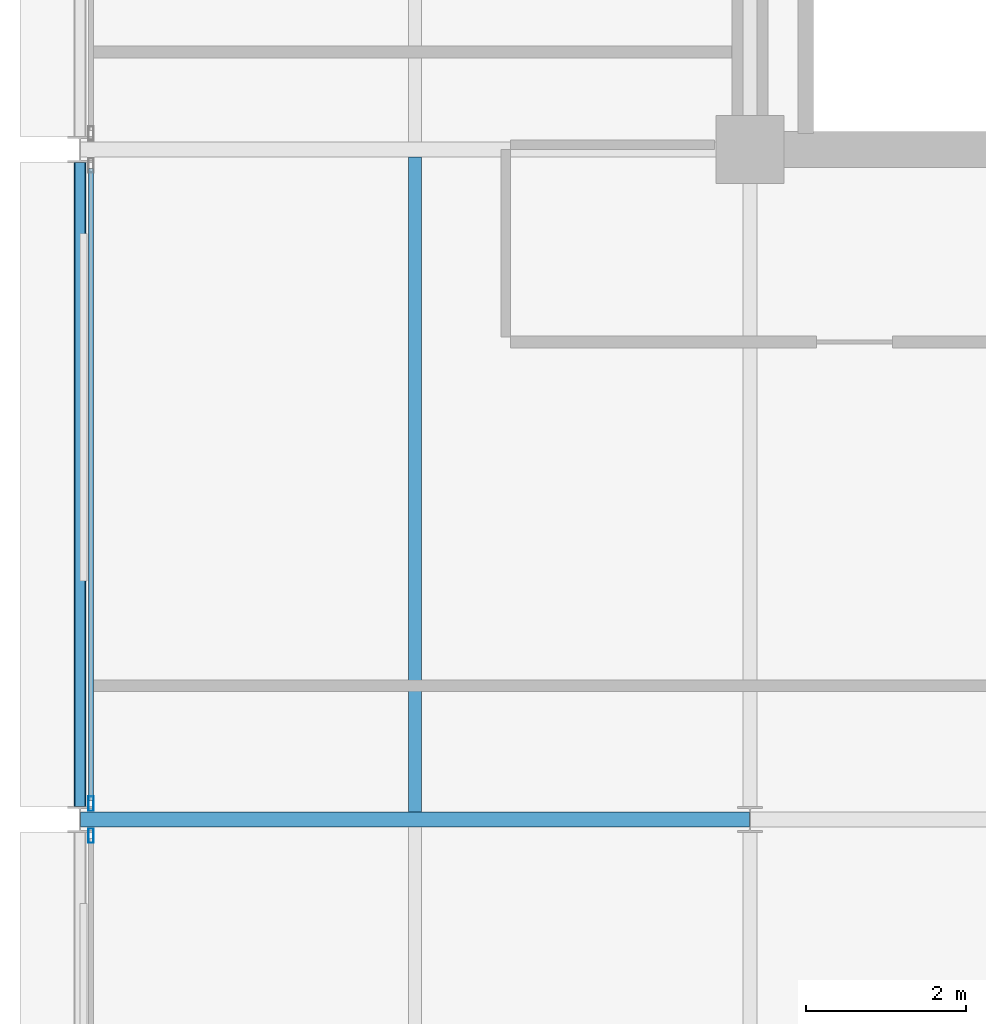
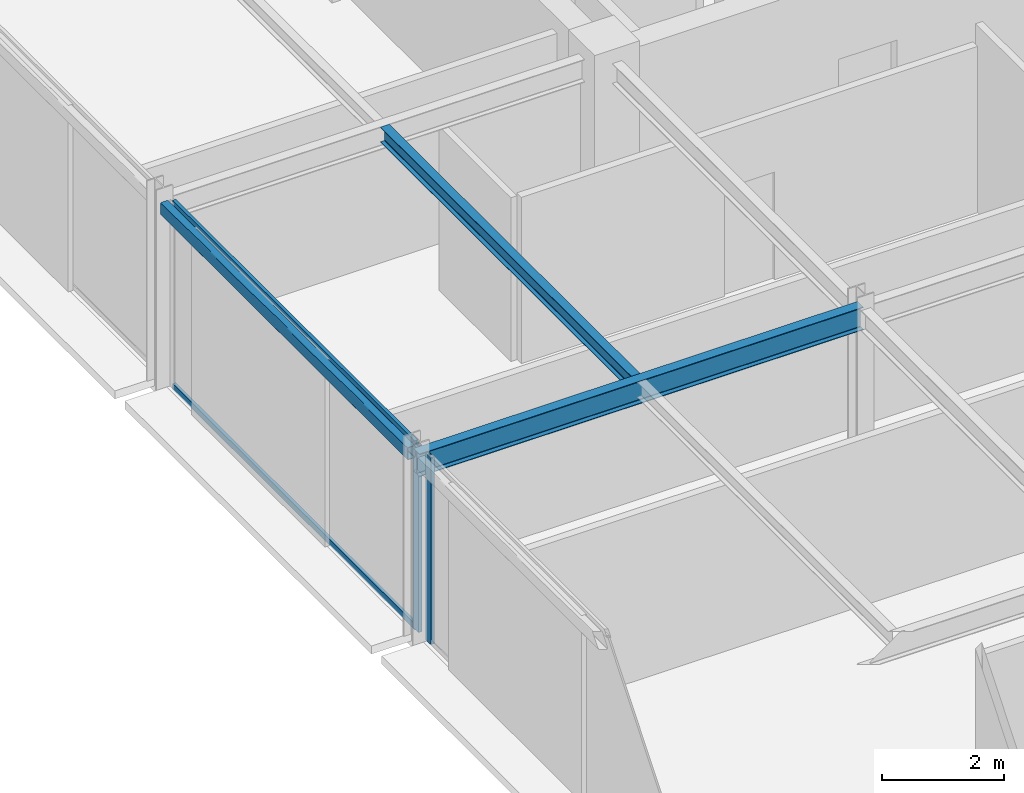
# One storey, part 9 of 25: 4 members, 3 beams, 2 elements without a shape of their own.
"""IFC4 building model written with IfcOpenShell, lengths in metres."""

from ifc_helpers import new_model, si_unit, direction, frame, origin, origin_2d, place, context, subcontext, project, spatial, hollow_rectangle, i_section, extrude, material, layer, layer_set, material_profile, profile_set, type_object, element, aggregate, save


model = new_model("IFC4")

# Units and contexts
model_context = context("Model", 3, precision=1e-05, world=origin(), true_north=direction((0.0, 1.0)))
body_context = subcontext(model_context, "Body", "Model", "MODEL_VIEW")
ifc_project = project(units=[si_unit("LENGTHUNIT", "METRE"), si_unit("AREAUNIT", "SQUARE_METRE"), si_unit("VOLUMEUNIT", "CUBIC_METRE"), si_unit("PLANEANGLEUNIT", "RADIAN"), si_unit("MASSUNIT", "GRAM", prefix="KILO")], contexts=[model_context])

# Site, building, storey
site_placement = place(None, origin())
site = spatial("IfcSite", under=ifc_project, at=site_placement, CompositionType="ELEMENT")
building_placement = place(site_placement, origin())
building = spatial("IfcBuilding", under=site, at=building_placement, Name="Nerrivon Quay Data Exchange", CompositionType="ELEMENT")
storey_placement = place(building_placement, frame((0.0, 0.0, 290.199951171875)))
storey = spatial("IfcBuildingStorey", under=building, at=storey_placement, Name="L69", CompositionType="ELEMENT", Elevation=290.199951171875)

# Beams
ifc_material_1 = material(Name="Steel Grade 350", Category="steel")
ifc_material_profile_1 = material_profile(ifc_material_1, i_section(OverallWidth=0.18994140625, OverallDepth=0.4541015625, WebThickness=0.008544921875, FlangeThickness=0.0126953125, FilletRadius=0.011474609375, at=origin_2d()), Name="460UB67.1")
ifc_profile_set_1 = profile_set([ifc_material_profile_1], Name="Steel Grade 350")
beam_type_1 = type_object("IfcBeamType", Name="BM-G6-460UB67", PredefinedType="BEAM", material=ifc_profile_set_1)
beam_1_placement = place(storey_placement, frame((0.0078125, 16.800048828125, 3.498046875), z_axis=(1.0, 0.0, 0.0), x_axis=(0.0, 1.0, 0.0)))
element("IfcBeam", 1, at=beam_1_placement, inside=storey, type_object=beam_type_1, Name="L69 EW Girder Y=16.8 (0.0..8.4)", PredefinedType="BEAM", context=body_context, shape_type="SweptSolid", body=[
    extrude(i_section(OverallWidth=0.18994140625, OverallDepth=0.4541015625, WebThickness=0.008544921875, FlangeThickness=0.0126953125, FilletRadius=0.011474609375, at=origin_2d()), origin(), (0.0, 0.0, 1.0), 8.38427734375),
])
ifc_material_profile_2 = material_profile(ifc_material_1, i_section(OverallWidth=0.1650390625, OverallDepth=0.303955078125, WebThickness=0.006103515625, FlangeThickness=0.01025390625, FilletRadius=0.011474609375, at=origin_2d()), Name="310UB40.4")
ifc_profile_set_2 = profile_set([ifc_material_profile_2], Name="Steel Grade 350")
beam_type_2 = type_object("IfcBeamType", Name="BM-J6-310UB40", PredefinedType="JOIST", material=ifc_profile_set_2)
beam_2_placement = place(storey_placement, frame((4.199951171875, 16.89501953125, 3.572998046875), z_axis=(0.0, 1.0, 0.0), x_axis=(-1.0, 0.0, 0.0)))
element("IfcBeam", 2, at=beam_2_placement, inside=storey, type_object=beam_type_2, Name="L69 Secondary Joist X=4.2 (16.8..25.2)", PredefinedType="JOIST", context=body_context, shape_type="SweptSolid", body=[
    extrude(i_section(OverallWidth=0.1650390625, OverallDepth=0.303955078125, WebThickness=0.006103515625, FlangeThickness=0.01025390625, FilletRadius=0.011474609375, at=origin_2d()), origin(), (0.0, 0.0, 1.0), 8.2099609375),
])
ifc_material_2 = material(Name="Steel Grade C350L0 (350 MPa)", Category="steel")
ifc_material_profile_3 = material_profile(ifc_material_2, hollow_rectangle(XDim=0.14990234375, YDim=0.25, WallThickness=0.009033203125, InnerFilletRadius=0.013427734375, OuterFilletRadius=0.0224609375, at=origin_2d()), Name="250x150x9.0RHS")
ifc_profile_set_3 = profile_set([ifc_material_profile_3], Name="Steel Grade C350L0 (350 MPa)")
beam_type_3 = type_object("IfcBeamType", Name="BM-SP4-250x150RHS", PredefinedType="SPANDREL", material=ifc_profile_set_3)
beam_3_placement = place(storey_placement, frame((0.0, 16.96337890625, 3.60009765625), z_axis=(0.0, 1.0, 0.0), x_axis=(-1.0, 0.0, 0.0)))
element("IfcBeam", 3, at=beam_3_placement, inside=storey, type_object=beam_type_3, Name="L69 NS Girder X=0.0 (16.8..25.2)", PredefinedType="SPANDREL", context=body_context, shape_type="SweptSolid", body=[
    extrude(hollow_rectangle(XDim=0.14990234375, YDim=0.25, WallThickness=0.009033203125, InnerFilletRadius=0.013427734375, OuterFilletRadius=0.0224609375, at=origin_2d()), origin(), (0.0, 0.0, 1.0), 8.0732421875),
])

# Curtain wall, member
ifc_material_3 = material(Name="Anodised aluminium 6063-T6", Category="aluminium")
ifc_layer = layer(ifc_material_3, 0.195068359375)
ifc_layer_set = layer_set([ifc_layer], Name="Anodised aluminium 6063-T6")
curtain_wall_type = type_object("IfcCurtainWallType", Name="CW-SYS-06", PredefinedType="NOTDEFINED", material=ifc_layer_set)
curtain_wall_1_placement = place(storey_placement, origin())
curtain_wall_1 = element("IfcCurtainWall", 4, at=curtain_wall_1_placement, inside=storey, type_object=curtain_wall_type, Name="L69 Unitised Curtain Wall 9", PredefinedType="NOTDEFINED")
ifc_material_profile_4 = material_profile(ifc_material_3, hollow_rectangle(XDim=0.06494140625, YDim=0.179931640625, WallThickness=0.00341796875, at=origin_2d()), Name="ALU-MULL-180x65")
ifc_profile_set_4 = profile_set([ifc_material_profile_4], Name="Anodised aluminium 6063-T6")
member_type_1 = type_object("IfcMemberType", Name="CWM-180x65", PredefinedType="MULLION", material=ifc_profile_set_4)
member_1_placement = place(storey_placement, frame((0.139892578125, 16.59912109375, 0.0), z_axis=(0.0, 0.0, 1.0), x_axis=(-1.0, 0.0, 0.0)))
member_1 = element("IfcMember", 5, at=member_1_placement, type_object=member_type_1, Name="CW06 mullion 2", PredefinedType="MULLION", context=body_context, shape_type="SweptSolid", body=[
    extrude(hollow_rectangle(XDim=0.06494140625, YDim=0.179931640625, WallThickness=0.00341796875, at=origin_2d()), origin(), (0.0, 0.0, 1.0), 3.72509765625),
])
aggregate(curtain_wall_1, [member_1])

# Curtain wall, members
curtain_wall_2_placement = place(storey_placement, origin())
curtain_wall_2 = element("IfcCurtainWall", 6, at=curtain_wall_2_placement, inside=storey, type_object=curtain_wall_type, Name="L69 Unitised Curtain Wall 10", PredefinedType="NOTDEFINED")
member_2_placement = place(storey_placement, frame((0.139892578125, 17.0009765625, 0.0), z_axis=(0.0, 0.0, 1.0), x_axis=(-1.0, 0.0, 0.0)))
member_2 = element("IfcMember", 7, at=member_2_placement, type_object=member_type_1, Name="CW06 mullion 1", PredefinedType="MULLION", context=body_context, shape_type="SweptSolid", body=[
    extrude(hollow_rectangle(XDim=0.06494140625, YDim=0.179931640625, WallThickness=0.00341796875, at=origin_2d()), origin(), (0.0, 0.0, 1.0), 3.72509765625),
])
ifc_material_profile_5 = material_profile(ifc_material_3, hollow_rectangle(XDim=0.06005859375, YDim=0.1201171875, WallThickness=0.003173828125, at=origin_2d()), Name="ALU-TRAN-120x60")
ifc_profile_set_5 = profile_set([ifc_material_profile_5], Name="Anodised aluminium 6063-T6")
member_type_2 = type_object("IfcMemberType", Name="CWT-120x60", PredefinedType="USERDEFINED", material=ifc_profile_set_5)
member_3_placement = place(storey_placement, frame((0.139892578125, 17.03857421875, 0.032470703125), z_axis=(0.0, 1.0, 0.0), x_axis=(-1.0, 0.0, 0.0)))
member_3 = element("IfcMember", 8, at=member_3_placement, type_object=member_type_2, Name="CW06 transom 1.1", ObjectType="TRANSOM", PredefinedType="USERDEFINED", context=body_context, shape_type="SweptSolid", body=[
    extrude(hollow_rectangle(XDim=0.06005859375, YDim=0.1201171875, WallThickness=0.003173828125, at=origin_2d()), origin(), (0.0, 0.0, 1.0), 7.9228515625),
])
member_4_placement = place(storey_placement, frame((0.139892578125, 17.03857421875, 3.692626953125), z_axis=(0.0, 1.0, 0.0), x_axis=(-1.0, 0.0, 0.0)))
member_4 = element("IfcMember", 9, at=member_4_placement, type_object=member_type_2, Name="CW06 transom 1.2", ObjectType="TRANSOM", PredefinedType="USERDEFINED", context=body_context, shape_type="SweptSolid", body=[
    extrude(hollow_rectangle(XDim=0.06005859375, YDim=0.1201171875, WallThickness=0.003173828125, at=origin_2d()), origin(), (0.0, 0.0, 1.0), 7.9228515625),
])
aggregate(curtain_wall_2, [member_2, member_3, member_4])

save(model, "model.ifc")
